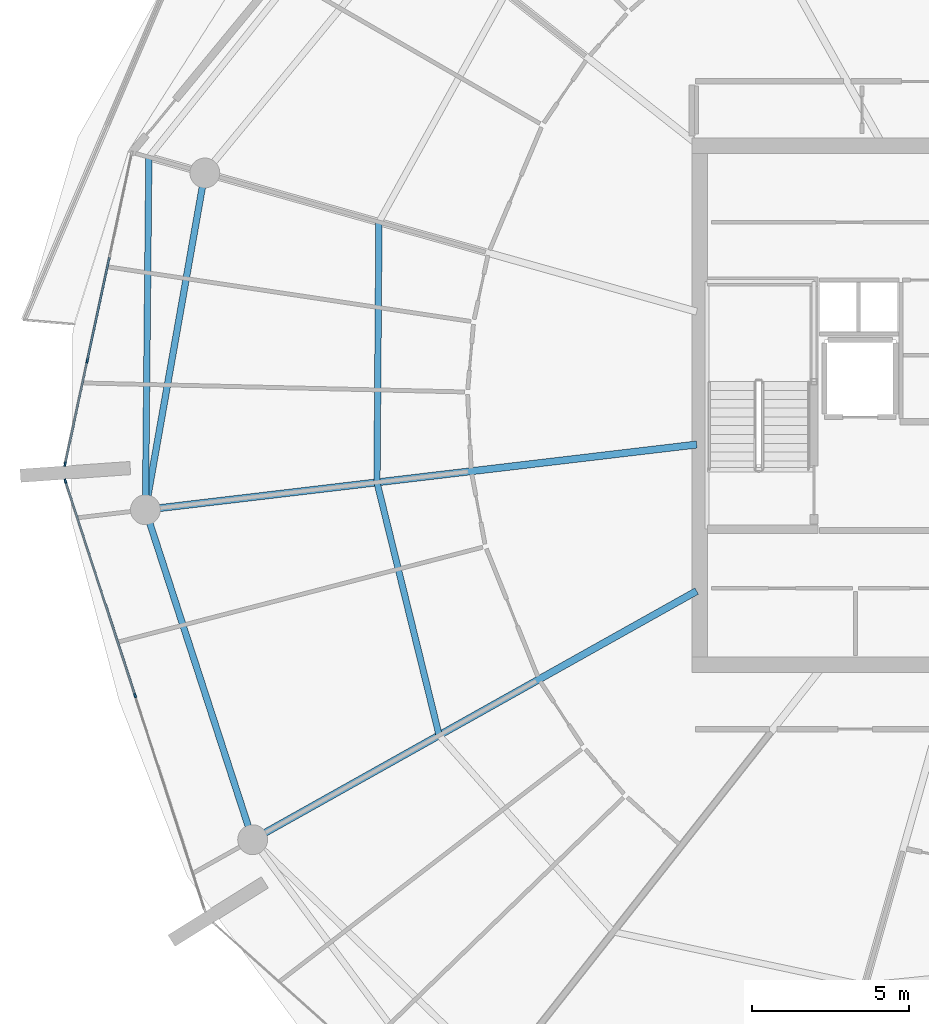
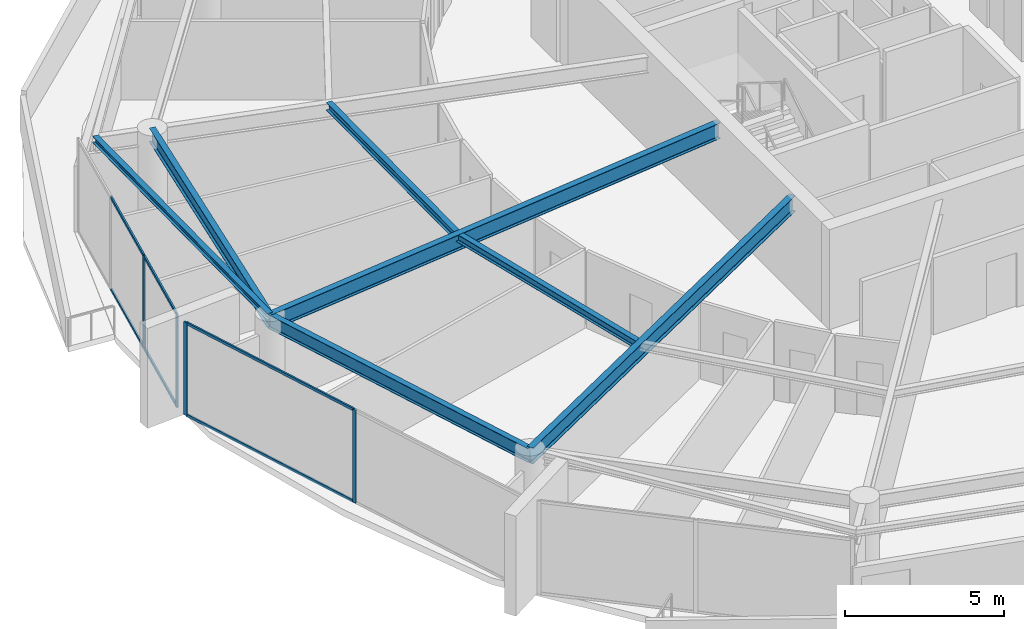
# One storey, part 8 of 31: 10 members, 7 beams, 2 elements without a shape of their own.
"""IFC4 building model written with IfcOpenShell, lengths in metres."""

from ifc_helpers import new_model, si_unit, direction, frame, origin, origin_2d, place, context, subcontext, project, spatial, rectangle, i_section, extrude, material, layer, layer_set, material_profile, profile_set, type_object, element, aggregate, save


model = new_model("IFC4")

# Units and contexts
model_context = context("Model", 3, precision=1e-05, world=origin(), true_north=direction((0.0, 1.0)))
body_context = subcontext(model_context, "Body", "Model", "MODEL_VIEW")
ifc_project = project(units=[si_unit("LENGTHUNIT", "METRE"), si_unit("AREAUNIT", "SQUARE_METRE"), si_unit("VOLUMEUNIT", "CUBIC_METRE"), si_unit("PLANEANGLEUNIT", "RADIAN"), si_unit("MASSUNIT", "GRAM", prefix="KILO")], contexts=[model_context])

# Site, building, storey
site_placement = place(None, origin())
site = spatial("IfcSite", under=ifc_project, at=site_placement, CompositionType="ELEMENT")
building_placement = place(site_placement, origin())
building = spatial("IfcBuilding", under=site, at=building_placement, Name="Kazma Halo Residences", CompositionType="ELEMENT")
storey_placement = place(building_placement, frame((0.0, 0.0, 275.199951171875)))
storey = spatial("IfcBuildingStorey", under=building, at=storey_placement, Name="L69", CompositionType="ELEMENT", Elevation=275.199951171875)

# Beams
ifc_material_1 = material(Name="Steel S355", Category="steel")
ifc_material_profile_1 = material_profile(ifc_material_1, i_section(OverallWidth=0.201904296875, OverallDepth=0.2470703125, WebThickness=0.00732421875, FlangeThickness=0.010986328125, FilletRadius=0.011962890625, at=origin_2d()), Name="W250x49.1")
ifc_profile_set_1 = profile_set([ifc_material_profile_1], Name="Steel S355")
beam_type_1 = type_object("IfcBeamType", Name="BM-BAL-CANT", PredefinedType="BEAM", material=ifc_profile_set_1)
beam_1_placement = place(storey_placement, frame((20.028564453125, 49.888916015625, 3.466552734375), z_axis=(-0.009645503464, -0.999953481049, 0.0), x_axis=(0.999953481049, -0.009645503464, 0.0)))
element("IfcBeam", 1, at=beam_1_placement, inside=storey, type_object=beam_type_1, Name="L69 wave-balcony tie beam 07", PredefinedType="BEAM", context=body_context, shape_type="SweptSolid", body=[
    extrude(i_section(OverallWidth=0.201904296875, OverallDepth=0.2470703125, WebThickness=0.00732421875, FlangeThickness=0.010986328125, FilletRadius=0.011962890625, at=origin_2d()), origin(), (0.0, 0.0, 1.0), 11.212890625),
])
ifc_material_profile_2 = material_profile(ifc_material_1, i_section(OverallWidth=0.22802734375, OverallDepth=0.60791015625, WebThickness=0.01123046875, FlangeThickness=0.017333984375, FilletRadius=0.01806640625, at=origin_2d()), Name="W610x113")
ifc_profile_set_2 = profile_set([ifc_material_profile_2], Name="Steel S355")
beam_type_2 = type_object("IfcBeamType", Name="BM-RAD-W610", PredefinedType="BEAM", material=ifc_profile_set_2)
beam_2_placement = place(storey_placement, frame((37.449951171875, 40.751220703125, 3.2861328125), z_axis=(-0.993068793341, -0.11753455531, 0.0), x_axis=(0.11753455531, -0.993068793341, 0.0)))
element("IfcBeam", 2, at=beam_2_placement, inside=storey, type_object=beam_type_2, Name="L69 radial floor beam 08", PredefinedType="BEAM", context=body_context, shape_type="SweptSolid", body=[
    extrude(i_section(OverallWidth=0.22802734375, OverallDepth=0.60791015625, WebThickness=0.01123046875, FlangeThickness=0.017333984375, FilletRadius=0.01806640625, at=origin_2d()), origin(), (0.0, 0.0, 1.0), 17.65185546875),
])
beam_3_placement = place(storey_placement, frame((37.449951171875, 36.091796875, 3.2861328125), z_axis=(-0.872497784052, -0.488618068459, 0.0), x_axis=(0.488618068459, -0.872497784052, 0.0)))
element("IfcBeam", 3, at=beam_3_placement, inside=storey, type_object=beam_type_2, Name="L69 radial floor beam 09", PredefinedType="BEAM", context=body_context, shape_type="SweptSolid", body=[
    extrude(i_section(OverallWidth=0.22802734375, OverallDepth=0.60791015625, WebThickness=0.01123046875, FlangeThickness=0.017333984375, FilletRadius=0.01806640625, at=origin_2d()), origin(), (0.0, 0.0, 1.0), 16.183837890625),
])
ifc_material_profile_3 = material_profile(ifc_material_1, i_section(OverallWidth=0.202880859375, OverallDepth=0.302978515625, WebThickness=0.007568359375, FlangeThickness=0.01318359375, FilletRadius=0.013916015625, at=origin_2d()), Name="W310x60")
ifc_profile_set_3 = profile_set([ifc_material_profile_3], Name="Steel S355")
beam_type_3 = type_object("IfcBeamType", Name="BM-SEC-W310A", PredefinedType="JOIST", material=ifc_profile_set_3)
beam_4_placement = place(storey_placement, frame((27.345458984375, 47.8251953125, 3.4384765625), z_axis=(-0.007550738936, -0.999971492764, 0.0), x_axis=(0.999971492764, -0.007550738936, 0.0)))
element("IfcBeam", 4, at=beam_4_placement, inside=storey, type_object=beam_type_3, Name="L69 circumferential floor joist 07", PredefinedType="JOIST", context=body_context, shape_type="SweptSolid", body=[
    extrude(i_section(OverallWidth=0.202880859375, OverallDepth=0.302978515625, WebThickness=0.007568359375, FlangeThickness=0.01318359375, FilletRadius=0.013916015625, at=origin_2d()), origin(), (0.0, 0.0, 1.0), 8.27734375),
])
beam_5_placement = place(storey_placement, frame((27.282958984375, 39.548095703125, 3.4384765625), z_axis=(0.238732984375, -0.971085249693, 0.0), x_axis=(0.971085249693, 0.238732984375, 0.0)))
element("IfcBeam", 5, at=beam_5_placement, inside=storey, type_object=beam_type_3, Name="L69 circumferential floor joist 08", PredefinedType="JOIST", context=body_context, shape_type="SweptSolid", body=[
    extrude(i_section(OverallWidth=0.202880859375, OverallDepth=0.302978515625, WebThickness=0.007568359375, FlangeThickness=0.01318359375, FilletRadius=0.013916015625, at=origin_2d()), origin(), (0.0, 0.0, 1.0), 8.282470703125),
])
ifc_material_profile_4 = material_profile(ifc_material_1, i_section(OverallWidth=0.208984375, OverallDepth=0.532958984375, WebThickness=0.01025390625, FlangeThickness=0.015625, FilletRadius=0.01611328125, at=origin_2d()), Name="W530x92")
ifc_profile_set_4 = profile_set([ifc_material_profile_4], Name="Steel S355")
beam_type_4 = type_object("IfcBeamType", Name="BM-SPN-W530", PredefinedType="BEAM", material=ifc_profile_set_4)
beam_6_placement = place(storey_placement, frame((21.80908203125, 49.38671875, 3.323486328125), z_axis=(-0.173663672311, -0.984805020763, 0.0), x_axis=(0.984805020763, -0.173663672311, 0.0)))
element("IfcBeam", 6, at=beam_6_placement, inside=storey, type_object=beam_type_4, Name="L69 perimeter ring beam 07", PredefinedType="BEAM", context=body_context, shape_type="SweptSolid", body=[
    extrude(i_section(OverallWidth=0.208984375, OverallDepth=0.532958984375, WebThickness=0.01025390625, FlangeThickness=0.015625, FilletRadius=0.01611328125, at=origin_2d()), origin(), (0.0, 0.0, 1.0), 10.87548828125),
])
beam_7_placement = place(storey_placement, frame((19.92041015625, 38.676513671875, 3.323486328125), z_axis=(0.309015517474, -0.951056996168, 0.0), x_axis=(0.951056996168, 0.309015517474, 0.0)))
element("IfcBeam", 7, at=beam_7_placement, inside=storey, type_object=beam_type_4, Name="L69 perimeter ring beam 08", PredefinedType="BEAM", context=body_context, shape_type="SweptSolid", body=[
    extrude(i_section(OverallWidth=0.208984375, OverallDepth=0.532958984375, WebThickness=0.01025390625, FlangeThickness=0.015625, FilletRadius=0.01611328125, at=origin_2d()), origin(), (0.0, 0.0, 1.0), 11.032470703125),
])

# Curtain wall, members
ifc_material_2 = material(Name="Aluminium AW-6063 T6 and Triple-Silver Low-E Glass", Category="aluminium")
ifc_layer = layer(ifc_material_2, 0.139892578125)
ifc_layer_set = layer_set([ifc_layer], Name="Aluminium AW-6063 T6 and Triple-Silver Low-E Glass")
curtain_wall_type = type_object("IfcCurtainWallType", Name="CW-SYS-5", PredefinedType="NOTDEFINED", material=ifc_layer_set)
curtain_wall_1_placement = place(storey_placement, origin())
curtain_wall_1 = element("IfcCurtainWall", 8, at=curtain_wall_1_placement, inside=storey, type_object=curtain_wall_type, Name="L69 unitised curtain wall B07", PredefinedType="NOTDEFINED")
ifc_material_3 = material(Name="Aluminium AW-6063 T6", Category="aluminium")
ifc_material_profile_5 = material_profile(ifc_material_3, rectangle(XDim=0.06005859375, YDim=0.139892578125, at=origin_2d()), Name="CWM-60x140")
ifc_profile_set_5 = profile_set([ifc_material_profile_5], Name="Aluminium AW-6063 T6")
member_type_1 = type_object("IfcMemberType", Name="CW-SYS-5-MUL", PredefinedType="MULLION", material=ifc_profile_set_5)
member_1_placement = place(storey_placement, frame((18.0703125, 43.412841796875, 0.0), z_axis=(0.0, 0.0, 1.0), x_axis=(0.97777491373, -0.209657382603, 0.0)))
member_1 = element("IfcMember", 9, at=member_1_placement, type_object=member_type_1, Name="CWS-5 mullion 3", PredefinedType="MULLION", context=body_context, shape_type="SweptSolid", body=[
    extrude(rectangle(XDim=0.06005859375, YDim=0.139892578125, at=origin_2d()), origin(), (0.0, 0.0, 1.0), 3.590087890625),
])
member_2_placement = place(storey_placement, frame((17.3662109375, 40.12841796875, 0.0), z_axis=(0.0, 0.0, 1.0), x_axis=(0.97777491373, -0.209657382603, 0.0)))
member_2 = element("IfcMember", 10, at=member_2_placement, type_object=member_type_1, Name="CWS-5 mullion 4", PredefinedType="MULLION", context=body_context, shape_type="SweptSolid", body=[
    extrude(rectangle(XDim=0.06005859375, YDim=0.139892578125, at=origin_2d()), origin(), (0.0, 0.0, 1.0), 3.590087890625),
])

curtain_wall_2_placement = place(storey_placement, origin())
curtain_wall_2 = element("IfcCurtainWall", 11, at=curtain_wall_2_placement, inside=storey, type_object=curtain_wall_type, Name="L69 unitised curtain wall B08", PredefinedType="NOTDEFINED")
member_3_placement = place(storey_placement, frame((17.377197265625, 39.587646484375, 0.0), z_axis=(0.0, 0.0, 1.0), x_axis=(0.951058464359, 0.309010998786, 0.0)))
member_3 = element("IfcMember", 12, at=member_3_placement, type_object=member_type_1, Name="CWS-5 mullion 1", PredefinedType="MULLION", context=body_context, shape_type="SweptSolid", body=[
    extrude(rectangle(XDim=0.06005859375, YDim=0.139892578125, at=origin_2d()), origin(), (0.0, 0.0, 1.0), 3.590087890625),
])
member_4_placement = place(storey_placement, frame((19.59228515625, 32.769775390625, 0.0), z_axis=(0.0, 0.0, 1.0), x_axis=(0.951058464359, 0.309010998786, 0.0)))
member_4 = element("IfcMember", 13, at=member_4_placement, type_object=member_type_1, Name="CWS-5 mullion 2", PredefinedType="MULLION", context=body_context, shape_type="SweptSolid", body=[
    extrude(rectangle(XDim=0.06005859375, YDim=0.139892578125, at=origin_2d()), origin(), (0.0, 0.0, 1.0), 3.590087890625),
])

# Member
ifc_material_profile_6 = material_profile(ifc_material_3, rectangle(XDim=0.06005859375, YDim=0.10498046875, at=origin_2d()), Name="CWT-60x105")
ifc_profile_set_6 = profile_set([ifc_material_profile_6], Name="Aluminium AW-6063 T6")
member_type_2 = type_object("IfcMemberType", Name="CW-SYS-5-TRN", PredefinedType="USERDEFINED", material=ifc_profile_set_6)
member_5_placement = place(storey_placement, frame((18.774658203125, 46.697265625, 0.030029296875), z_axis=(-0.209664309019, -0.977773428522, 0.0), x_axis=(0.977773428522, -0.209664309019, 0.0)))
member_5 = element("IfcMember", 14, at=member_5_placement, type_object=member_type_2, Name="CWS-5 transom 2.1", ObjectType="TRANSOM", PredefinedType="USERDEFINED", context=body_context, shape_type="SweptSolid", body=[
    extrude(rectangle(XDim=0.06005859375, YDim=0.10498046875, at=origin_2d()), origin(), (0.0, 0.0, 1.0), 3.3291015625),
])

member_6_placement = place(storey_placement, frame((18.774658203125, 46.697265625, 3.56005859375), z_axis=(-0.209664309019, -0.977773428522, 0.0), x_axis=(0.977773428522, -0.209664309019, 0.0)))
member_6 = element("IfcMember", 15, at=member_6_placement, type_object=member_type_2, Name="CWS-5 transom 2.2", ObjectType="TRANSOM", PredefinedType="USERDEFINED", context=body_context, shape_type="SweptSolid", body=[
    extrude(rectangle(XDim=0.06005859375, YDim=0.10498046875, at=origin_2d()), origin(), (0.0, 0.0, 1.0), 3.3291015625),
])

member_7_placement = place(storey_placement, frame((18.064208984375, 43.383544921875, 0.030029296875), z_axis=(-0.209645323239, -0.977777499457, 0.0), x_axis=(0.977777499457, -0.209645323239, 0.0)))
member_7 = element("IfcMember", 16, at=member_7_placement, type_object=member_type_2, Name="CWS-5 transom 3.1", ObjectType="TRANSOM", PredefinedType="USERDEFINED", context=body_context, shape_type="SweptSolid", body=[
    extrude(rectangle(XDim=0.06005859375, YDim=0.10498046875, at=origin_2d()), origin(), (0.0, 0.0, 1.0), 3.299072265625),
])

member_8_placement = place(storey_placement, frame((18.064208984375, 43.383544921875, 3.56005859375), z_axis=(-0.209645323239, -0.977777499457, 0.0), x_axis=(0.977777499457, -0.209645323239, 0.0)))
member_8 = element("IfcMember", 17, at=member_8_placement, type_object=member_type_2, Name="CWS-5 transom 3.2", ObjectType="TRANSOM", PredefinedType="USERDEFINED", context=body_context, shape_type="SweptSolid", body=[
    extrude(rectangle(XDim=0.06005859375, YDim=0.10498046875, at=origin_2d()), origin(), (0.0, 0.0, 1.0), 3.299072265625),
])

aggregate(curtain_wall_1, [member_1, member_2, member_5, member_6, member_7, member_8])

member_9_placement = place(storey_placement, frame((17.386474609375, 39.55908203125, 0.030029296875), z_axis=(0.308995987448, -0.951063341603, 0.0), x_axis=(0.951063341603, 0.308995987448, 0.0)))
member_9 = element("IfcMember", 18, at=member_9_placement, type_object=member_type_2, Name="CWS-5 transom 1.1", ObjectType="TRANSOM", PredefinedType="USERDEFINED", context=body_context, shape_type="SweptSolid", body=[
    extrude(rectangle(XDim=0.06005859375, YDim=0.10498046875, at=origin_2d()), origin(), (0.0, 0.0, 1.0), 7.108642578125),
])

member_10_placement = place(storey_placement, frame((17.386474609375, 39.55908203125, 3.56005859375), z_axis=(0.308995987448, -0.951063341603, 0.0), x_axis=(0.951063341603, 0.308995987448, 0.0)))
member_10 = element("IfcMember", 19, at=member_10_placement, type_object=member_type_2, Name="CWS-5 transom 1.2", ObjectType="TRANSOM", PredefinedType="USERDEFINED", context=body_context, shape_type="SweptSolid", body=[
    extrude(rectangle(XDim=0.06005859375, YDim=0.10498046875, at=origin_2d()), origin(), (0.0, 0.0, 1.0), 7.108642578125),
])

aggregate(curtain_wall_2, [member_3, member_4, member_9, member_10])

save(model, "model.ifc")
